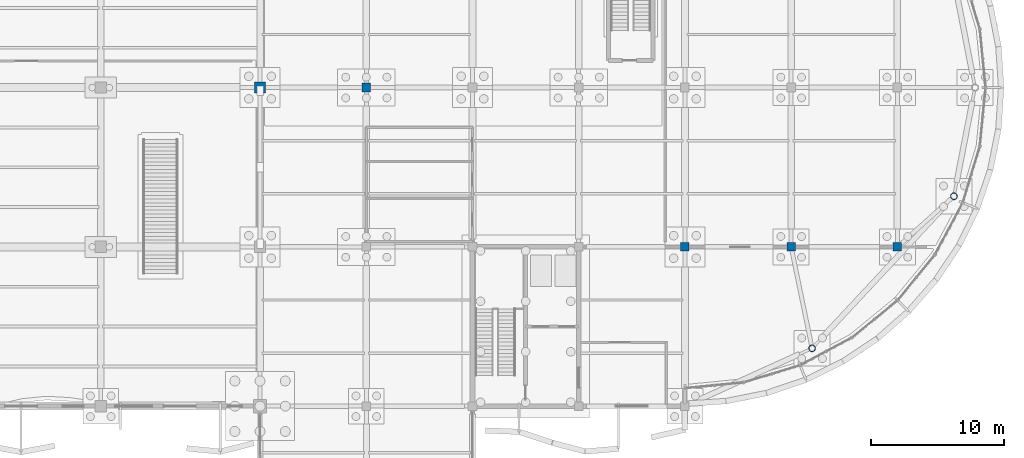
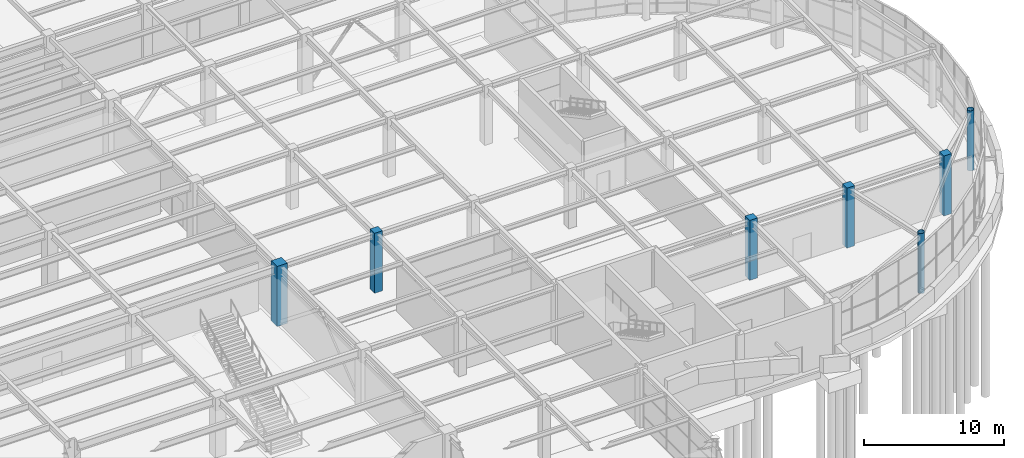
# One storey, part 21 of 85: 7 columns.
"""IFC4 building model written with IfcOpenShell, lengths in metres."""

from ifc_helpers import new_model, si_unit, direction, frame, origin, origin_2d, place, context, subcontext, project, spatial, rectangle, hollow_circle, extrude, material, material_profile, profile_set, type_object, element, save


model = new_model("IFC4")

# Units and contexts
model_context = context("Model", 3, precision=1e-05, world=origin(), true_north=direction((0.0, 1.0)))
body_context = subcontext(model_context, "Body", "Model", "MODEL_VIEW")
ifc_project = project(units=[si_unit("LENGTHUNIT", "METRE"), si_unit("AREAUNIT", "SQUARE_METRE"), si_unit("VOLUMEUNIT", "CUBIC_METRE"), si_unit("PLANEANGLEUNIT", "RADIAN"), si_unit("MASSUNIT", "GRAM", prefix="KILO")], contexts=[model_context])

# Site, building, storey
site_placement = place(None, origin())
site = spatial("IfcSite", under=ifc_project, at=site_placement, CompositionType="ELEMENT")
building_placement = place(site_placement, origin())
building = spatial("IfcBuilding", under=site, at=building_placement, Name="Keelwater Ferry Terminal", CompositionType="ELEMENT")
storey_placement = place(building_placement, origin())
storey = spatial("IfcBuildingStorey", under=building, at=storey_placement, Name="L00", CompositionType="ELEMENT", Elevation=0.0)

# Columns
ifc_material_1 = material(Name="Concrete C50/60", Category="concrete")
ifc_material_profile_1 = material_profile(ifc_material_1, rectangle(XDim=0.85009765625, YDim=0.85009765625, at=origin_2d()), Name="RC 850x850")
ifc_profile_set_1 = profile_set([ifc_material_profile_1], Name="Concrete C50/60")
column_type_1 = type_object("IfcColumnType", Name="C1 RC 850x850", PredefinedType="COLUMN", material=ifc_profile_set_1)
column_placement = place(storey_placement, frame((132.0, 66.0, 0.0), z_axis=(0.0, 0.0, 1.0), x_axis=(1.0, 0.0, 0.0)))
element("IfcColumn", 1, at=column_placement, inside=storey, type_object=column_type_1, Name="Column CL-L00-0246", PredefinedType="COLUMN", context=body_context, shape_type="SweptSolid", body=[
    extrude(rectangle(XDim=0.85009765625, YDim=0.85009765625, at=origin_2d()), origin(), (0.0, 0.0, 1.0), 5.239990234375),
])
ifc_material_2 = material(Name="Concrete C45/55", Category="concrete")
ifc_material_profile_2 = material_profile(ifc_material_2, rectangle(XDim=0.64990234375, YDim=0.64990234375, at=origin_2d()), Name="RC 650x650")
ifc_profile_set_2 = profile_set([ifc_material_profile_2], Name="Concrete C45/55")
column_type_2 = type_object("IfcColumnType", Name="C3 RC 650x650", PredefinedType="COLUMN", material=ifc_profile_set_2)
for number, where, z_axis, x_axis, name in (
    (2, (140.0, 66.0, 0.0), (0.0, 0.0, 1.0), (1.0, 0.0, 0.0), "Column CL-L00-0298"),
    (3, (164.0, 54.0, 0.0), (0.0, 0.0, 1.0), (1.0, 0.0, 0.0), "Column CL-L00-0419"),
    (4, (172.0, 54.0, 0.0), (0.0, 0.0, 1.0), (1.0, 0.0, 0.0), "Column CL-L00-0455"),
    (5, (180.0, 54.0, 0.0), (0.0, 0.0, 1.0), (1.0, 0.0, 0.0), "Column CL-L00-0493"),
):
    element("IfcColumn", number, at=place(storey_placement, frame(where, z_axis=z_axis, x_axis=x_axis)), inside=storey, type_object=column_type_2, Name=name, PredefinedType="COLUMN", context=body_context, shape_type="SweptSolid", body=[
        extrude(rectangle(XDim=0.64990234375, YDim=0.64990234375, at=origin_2d()), origin(), (0.0, 0.0, 1.0), 5.239990234375),
    ])
ifc_material_3 = material(Name="Steel S355", Category="steel")
ifc_material_profile_3 = material_profile(ifc_material_3, hollow_circle(Radius=0.25390625, WallThickness=0.02001953125, at=origin_2d()), Name="CHS 508x20")
ifc_profile_set_3 = profile_set([ifc_material_profile_3], Name="Steel S355")
column_type_3 = type_object("IfcColumnType", Name="C8E CHS 508x20", PredefinedType="COLUMN", material=ifc_profile_set_3)
for number, where, z_axis, x_axis, name in (
    (6, (184.259033203125, 57.81494140625, 0.0), (0.0, 0.0, 1.0), (1.0, 0.0, 0.0), "Column CL-L00-0551"),
    (7, (173.577880859375, 46.361083984375, 0.0), (0.0, 0.0, 1.0), (1.0, 0.0, 0.0), "Column CL-L00-0554"),
):
    element("IfcColumn", number, at=place(storey_placement, frame(where, z_axis=z_axis, x_axis=x_axis)), inside=storey, type_object=column_type_3, Name=name, PredefinedType="COLUMN", context=body_context, shape_type="SweptSolid", body=[
        extrude(hollow_circle(Radius=0.25390625, WallThickness=0.02001953125, at=origin_2d()), origin(), (0.0, 0.0, 1.0), 5.239990234375),
    ])

save(model, "model.ifc")
